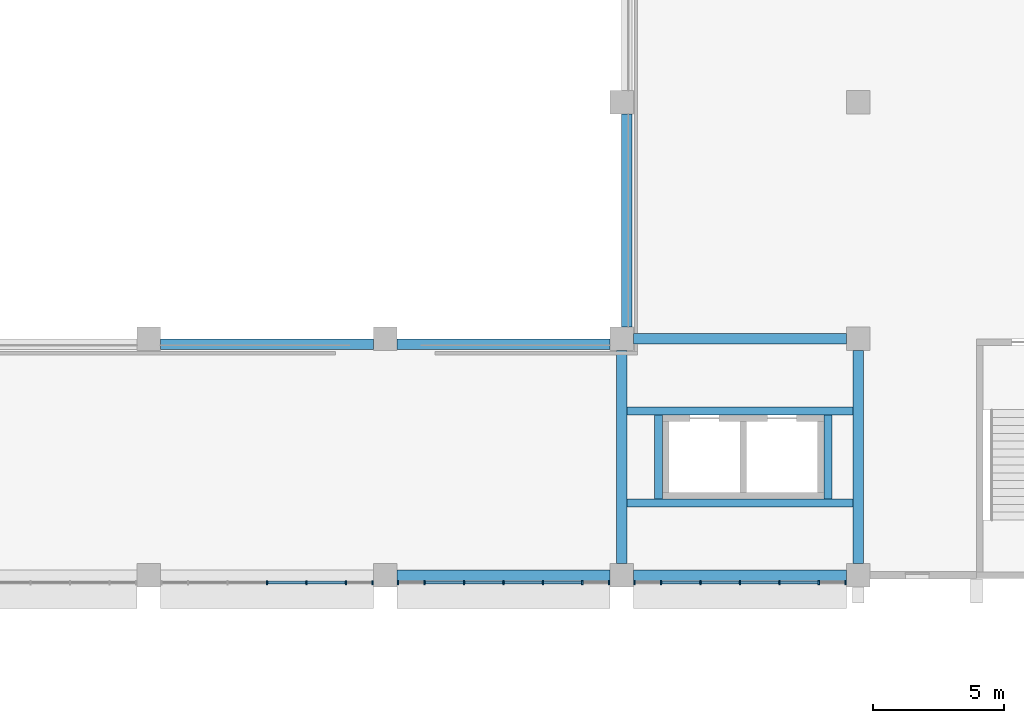
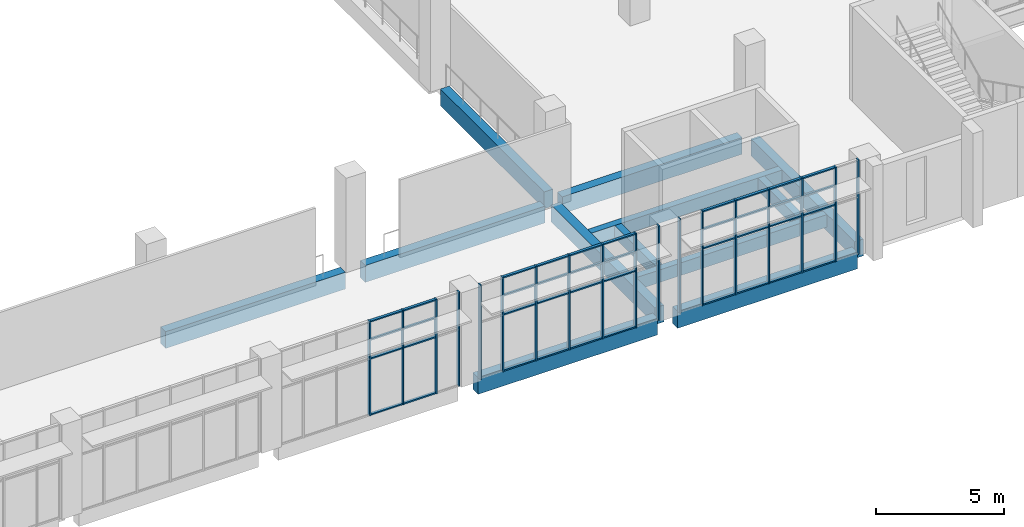
# One storey, part 4 of 88: 58 members, 12 beams, 3 elements without a shape of their own.
"""IFC4 building model written with IfcOpenShell, lengths in metres."""

from ifc_helpers import new_model, si_unit, direction, frame, origin, origin_2d, place, context, subcontext, project, spatial, rectangle, extrude, material, layer, layer_set, material_profile, profile_set, type_object, element, aggregate, save


model = new_model("IFC4")

# Units and contexts
model_context = context("Model", 3, precision=1e-05, world=origin(), true_north=direction((0.0, 1.0)))
body_context = subcontext(model_context, "Body", "Model", "MODEL_VIEW")
ifc_project = project(units=[si_unit("LENGTHUNIT", "METRE"), si_unit("AREAUNIT", "SQUARE_METRE"), si_unit("VOLUMEUNIT", "CUBIC_METRE"), si_unit("PLANEANGLEUNIT", "RADIAN"), si_unit("MASSUNIT", "GRAM", prefix="KILO")], contexts=[model_context])

# Site, building, storey
site_placement = place(None, origin())
site = spatial("IfcSite", under=ifc_project, at=site_placement, CompositionType="ELEMENT")
building_placement = place(site_placement, origin())
building = spatial("IfcBuilding", under=site, at=building_placement, Name="Guidao Yard Department Store", CompositionType="ELEMENT")
storey_placement = place(building_placement, frame((0.0, 0.0, 6.0)))
storey = spatial("IfcBuildingStorey", under=building, at=storey_placement, Name="L01", CompositionType="ELEMENT", Elevation=6.0)

# Beams
ifc_material_1 = material(Name="Concrete C40", Category="concrete")
ifc_material_profile_1 = material_profile(ifc_material_1, rectangle(XDim=0.39990234375, YDim=0.800048828125, at=origin_2d()), Name="Edge beam 400 x 800 C40")
ifc_profile_set_1 = profile_set([ifc_material_profile_1], Name="Concrete C40")
beam_type_1 = type_object("IfcBeamType", Name="Edge beam 400 x 800 C40", PredefinedType="BEAM", material=ifc_profile_set_1)
for number, where, z_axis, x_axis, name in (
    (1, (27.449951171875, 53.800048828125, -0.39990234375), (1.0, 0.0, 0.0), (0.0, 1.0, 0.0), "Beam EB16"),
    (2, (36.449951171875, 53.800048828125, -0.39990234375), (1.0, 0.0, 0.0), (0.0, 1.0, 0.0), "Beam EB17"),
    (3, (45.199951171875, 54.449951171875, -0.39990234375), (0.0, 1.0, 0.0), (-1.0, 0.0, 0.0), "Beam EB18"),
    (4, (45.449951171875, 54.0, -0.39990234375), (1.0, 0.0, 0.0), (0.0, 1.0, 0.0), "Beam EB88"),
    (5, (45.0, 45.449951171875, -0.39990234375), (0.0, 1.0, 0.0), (-1.0, 0.0, 0.0), "Beam EB89"),
    (6, (54.0, 45.449951171875, -0.39990234375), (0.0, 1.0, 0.0), (-1.0, 0.0, 0.0), "Beam EB90"),
):
    element("IfcBeam", number, at=place(storey_placement, frame(where, z_axis=z_axis, x_axis=x_axis)), inside=storey, type_object=beam_type_1, Name=name, PredefinedType="BEAM", context=body_context, shape_type="SweptSolid", body=[
        extrude(rectangle(XDim=0.39990234375, YDim=0.800048828125, at=origin_2d()), origin(), (0.0, 0.0, 1.0), 8.10009765625),
    ])

# Curtain wall, members
ifc_material_2 = material(Name="Aluminium and glass", Category="aluminium")
ifc_layer = layer(ifc_material_2, 0.159912109375)
ifc_layer_set = layer_set([ifc_layer], Name="Hall front curtain wall CW2 1500 module")
curtain_wall_type = type_object("IfcCurtainWallType", Name="Hall front curtain wall CW2 1500 module", PredefinedType="NOTDEFINED", material=ifc_layer_set)
curtain_wall_1_placement = place(storey_placement, origin())
curtain_wall_1 = element("IfcCurtainWall", 7, at=curtain_wall_1_placement, inside=storey, type_object=curtain_wall_type, Name="Hall front curtain wall", PredefinedType="NOTDEFINED")
ifc_material_3 = material(Name="Aluminium 6063-T5", Category="aluminium")
ifc_material_profile_2 = material_profile(ifc_material_3, rectangle(XDim=0.06005859375, YDim=0.159912109375, at=origin_2d()), Name="Mullion M1 60 x 160 aluminium pressure plate")
ifc_profile_set_2 = profile_set([ifc_material_profile_2], Name="Aluminium 6063-T5")
member_type_1 = type_object("IfcMemberType", Name="Mullion M1 60 x 160 aluminium pressure plate", PredefinedType="MULLION", material=ifc_profile_set_2)
member_1_placement = place(storey_placement, frame((31.5, 44.719970703125, 0.0), z_axis=(0.0, 0.0, 1.0), x_axis=(-1.0, 0.0, 0.0)))
member_1 = element("IfcMember", 8, at=member_1_placement, type_object=member_type_1, Name="CW-HF-L01-03 mullion 4", PredefinedType="MULLION", context=body_context, shape_type="SweptSolid", body=[
    extrude(rectangle(XDim=0.06005859375, YDim=0.159912109375, at=origin_2d()), origin(), (0.0, 0.0, 1.0), 4.5),
])
member_2_placement = place(storey_placement, frame((33.0, 44.719970703125, 0.0), z_axis=(0.0, 0.0, 1.0), x_axis=(-1.0, 0.0, 0.0)))
member_2 = element("IfcMember", 9, at=member_2_placement, type_object=member_type_1, Name="CW-HF-L01-03 mullion 5", PredefinedType="MULLION", context=body_context, shape_type="SweptSolid", body=[
    extrude(rectangle(XDim=0.06005859375, YDim=0.159912109375, at=origin_2d()), origin(), (0.0, 0.0, 1.0), 4.5),
])
member_3_placement = place(storey_placement, frame((34.5, 44.719970703125, 0.0), z_axis=(0.0, 0.0, 1.0), x_axis=(-1.0, 0.0, 0.0)))
member_3 = element("IfcMember", 10, at=member_3_placement, type_object=member_type_1, Name="CW-HF-L01-03 mullion 6", PredefinedType="MULLION", context=body_context, shape_type="SweptSolid", body=[
    extrude(rectangle(XDim=0.06005859375, YDim=0.159912109375, at=origin_2d()), origin(), (0.0, 0.0, 1.0), 4.5),
])
member_4_placement = place(storey_placement, frame((35.52001953125, 44.719970703125, 0.0), z_axis=(0.0, 0.0, 1.0), x_axis=(-1.0, 0.0, 0.0)))
member_4 = element("IfcMember", 11, at=member_4_placement, type_object=member_type_1, Name="CW-HF-L01-03 mullion 7", PredefinedType="MULLION", context=body_context, shape_type="SweptSolid", body=[
    extrude(rectangle(XDim=0.06005859375, YDim=0.159912109375, at=origin_2d()), origin(), (0.0, 0.0, 1.0), 4.5),
])

curtain_wall_2_placement = place(storey_placement, origin())
curtain_wall_2 = element("IfcCurtainWall", 12, at=curtain_wall_2_placement, inside=storey, type_object=curtain_wall_type, Name="Hall front curtain wall", PredefinedType="NOTDEFINED")
member_5_placement = place(storey_placement, frame((36.47998046875, 44.719970703125, 0.0), z_axis=(0.0, 0.0, 1.0), x_axis=(-1.0, 0.0, 0.0)))
member_5 = element("IfcMember", 13, at=member_5_placement, type_object=member_type_1, Name="CW-HF-L01-04 mullion 1", PredefinedType="MULLION", context=body_context, shape_type="SweptSolid", body=[
    extrude(rectangle(XDim=0.06005859375, YDim=0.159912109375, at=origin_2d()), origin(), (0.0, 0.0, 1.0), 4.5),
])
member_6_placement = place(storey_placement, frame((37.5, 44.719970703125, 0.0), z_axis=(0.0, 0.0, 1.0), x_axis=(-1.0, 0.0, 0.0)))
member_6 = element("IfcMember", 14, at=member_6_placement, type_object=member_type_1, Name="CW-HF-L01-04 mullion 2", PredefinedType="MULLION", context=body_context, shape_type="SweptSolid", body=[
    extrude(rectangle(XDim=0.06005859375, YDim=0.159912109375, at=origin_2d()), origin(), (0.0, 0.0, 1.0), 4.5),
])
member_7_placement = place(storey_placement, frame((39.0, 44.719970703125, 0.0), z_axis=(0.0, 0.0, 1.0), x_axis=(-1.0, 0.0, 0.0)))
member_7 = element("IfcMember", 15, at=member_7_placement, type_object=member_type_1, Name="CW-HF-L01-04 mullion 3", PredefinedType="MULLION", context=body_context, shape_type="SweptSolid", body=[
    extrude(rectangle(XDim=0.06005859375, YDim=0.159912109375, at=origin_2d()), origin(), (0.0, 0.0, 1.0), 4.5),
])
member_8_placement = place(storey_placement, frame((40.5, 44.719970703125, 0.0), z_axis=(0.0, 0.0, 1.0), x_axis=(-1.0, 0.0, 0.0)))
member_8 = element("IfcMember", 16, at=member_8_placement, type_object=member_type_1, Name="CW-HF-L01-04 mullion 4", PredefinedType="MULLION", context=body_context, shape_type="SweptSolid", body=[
    extrude(rectangle(XDim=0.06005859375, YDim=0.159912109375, at=origin_2d()), origin(), (0.0, 0.0, 1.0), 4.5),
])
member_9_placement = place(storey_placement, frame((42.0, 44.719970703125, 0.0), z_axis=(0.0, 0.0, 1.0), x_axis=(-1.0, 0.0, 0.0)))
member_9 = element("IfcMember", 17, at=member_9_placement, type_object=member_type_1, Name="CW-HF-L01-04 mullion 5", PredefinedType="MULLION", context=body_context, shape_type="SweptSolid", body=[
    extrude(rectangle(XDim=0.06005859375, YDim=0.159912109375, at=origin_2d()), origin(), (0.0, 0.0, 1.0), 4.5),
])
member_10_placement = place(storey_placement, frame((43.5, 44.719970703125, 0.0), z_axis=(0.0, 0.0, 1.0), x_axis=(-1.0, 0.0, 0.0)))
member_10 = element("IfcMember", 18, at=member_10_placement, type_object=member_type_1, Name="CW-HF-L01-04 mullion 6", PredefinedType="MULLION", context=body_context, shape_type="SweptSolid", body=[
    extrude(rectangle(XDim=0.06005859375, YDim=0.159912109375, at=origin_2d()), origin(), (0.0, 0.0, 1.0), 4.5),
])
member_11_placement = place(storey_placement, frame((44.52001953125, 44.719970703125, 0.0), z_axis=(0.0, 0.0, 1.0), x_axis=(-1.0, 0.0, 0.0)))
member_11 = element("IfcMember", 19, at=member_11_placement, type_object=member_type_1, Name="CW-HF-L01-04 mullion 7", PredefinedType="MULLION", context=body_context, shape_type="SweptSolid", body=[
    extrude(rectangle(XDim=0.06005859375, YDim=0.159912109375, at=origin_2d()), origin(), (0.0, 0.0, 1.0), 4.5),
])

curtain_wall_3_placement = place(storey_placement, origin())
curtain_wall_3 = element("IfcCurtainWall", 20, at=curtain_wall_3_placement, inside=storey, type_object=curtain_wall_type, Name="Hall front curtain wall", PredefinedType="NOTDEFINED")
member_12_placement = place(storey_placement, frame((45.47998046875, 44.719970703125, 0.0), z_axis=(0.0, 0.0, 1.0), x_axis=(-1.0, 0.0, 0.0)))
member_12 = element("IfcMember", 21, at=member_12_placement, type_object=member_type_1, Name="CW-HF-L01-05 mullion 1", PredefinedType="MULLION", context=body_context, shape_type="SweptSolid", body=[
    extrude(rectangle(XDim=0.06005859375, YDim=0.159912109375, at=origin_2d()), origin(), (0.0, 0.0, 1.0), 4.5),
])
member_13_placement = place(storey_placement, frame((46.5, 44.719970703125, 0.0), z_axis=(0.0, 0.0, 1.0), x_axis=(-1.0, 0.0, 0.0)))
member_13 = element("IfcMember", 22, at=member_13_placement, type_object=member_type_1, Name="CW-HF-L01-05 mullion 2", PredefinedType="MULLION", context=body_context, shape_type="SweptSolid", body=[
    extrude(rectangle(XDim=0.06005859375, YDim=0.159912109375, at=origin_2d()), origin(), (0.0, 0.0, 1.0), 4.5),
])
member_14_placement = place(storey_placement, frame((48.0, 44.719970703125, 0.0), z_axis=(0.0, 0.0, 1.0), x_axis=(-1.0, 0.0, 0.0)))
member_14 = element("IfcMember", 23, at=member_14_placement, type_object=member_type_1, Name="CW-HF-L01-05 mullion 3", PredefinedType="MULLION", context=body_context, shape_type="SweptSolid", body=[
    extrude(rectangle(XDim=0.06005859375, YDim=0.159912109375, at=origin_2d()), origin(), (0.0, 0.0, 1.0), 4.5),
])
member_15_placement = place(storey_placement, frame((49.5, 44.719970703125, 0.0), z_axis=(0.0, 0.0, 1.0), x_axis=(-1.0, 0.0, 0.0)))
member_15 = element("IfcMember", 24, at=member_15_placement, type_object=member_type_1, Name="CW-HF-L01-05 mullion 4", PredefinedType="MULLION", context=body_context, shape_type="SweptSolid", body=[
    extrude(rectangle(XDim=0.06005859375, YDim=0.159912109375, at=origin_2d()), origin(), (0.0, 0.0, 1.0), 4.5),
])
member_16_placement = place(storey_placement, frame((51.0, 44.719970703125, 0.0), z_axis=(0.0, 0.0, 1.0), x_axis=(-1.0, 0.0, 0.0)))
member_16 = element("IfcMember", 25, at=member_16_placement, type_object=member_type_1, Name="CW-HF-L01-05 mullion 5", PredefinedType="MULLION", context=body_context, shape_type="SweptSolid", body=[
    extrude(rectangle(XDim=0.06005859375, YDim=0.159912109375, at=origin_2d()), origin(), (0.0, 0.0, 1.0), 4.5),
])
member_17_placement = place(storey_placement, frame((52.5, 44.719970703125, 0.0), z_axis=(0.0, 0.0, 1.0), x_axis=(-1.0, 0.0, 0.0)))
member_17 = element("IfcMember", 26, at=member_17_placement, type_object=member_type_1, Name="CW-HF-L01-05 mullion 6", PredefinedType="MULLION", context=body_context, shape_type="SweptSolid", body=[
    extrude(rectangle(XDim=0.06005859375, YDim=0.159912109375, at=origin_2d()), origin(), (0.0, 0.0, 1.0), 4.5),
])
member_18_placement = place(storey_placement, frame((53.52001953125, 44.719970703125, 0.0), z_axis=(0.0, 0.0, 1.0), x_axis=(-1.0, 0.0, 0.0)))
member_18 = element("IfcMember", 27, at=member_18_placement, type_object=member_type_1, Name="CW-HF-L01-05 mullion 7", PredefinedType="MULLION", context=body_context, shape_type="SweptSolid", body=[
    extrude(rectangle(XDim=0.06005859375, YDim=0.159912109375, at=origin_2d()), origin(), (0.0, 0.0, 1.0), 4.5),
])

# Beams
ifc_material_4 = material(Name="Concrete C40", Category="concrete")
ifc_material_profile_3 = material_profile(ifc_material_4, rectangle(XDim=0.300048828125, YDim=0.60009765625, at=origin_2d()), Name="Opening beam 300 x 600 C40")
ifc_profile_set_3 = profile_set([ifc_material_profile_3], Name="Concrete C40")
beam_type_2 = type_object("IfcBeamType", Name="Opening beam 300 x 600 C40", PredefinedType="BEAM", material=ifc_profile_set_3)
for number, where, z_axis, x_axis, name in (
    (28, (45.199951171875, 47.75, -0.300048828125), (1.0, 0.0, 0.0), (0.0, 1.0, 0.0), "Beam OB05"),
    (29, (45.199951171875, 51.25, -0.300048828125), (1.0, 0.0, 0.0), (0.0, 1.0, 0.0), "Beam OB06"),
):
    element("IfcBeam", number, at=place(storey_placement, frame(where, z_axis=z_axis, x_axis=x_axis)), inside=storey, type_object=beam_type_2, Name=name, PredefinedType="BEAM", context=body_context, shape_type="SweptSolid", body=[
        extrude(rectangle(XDim=0.300048828125, YDim=0.60009765625, at=origin_2d()), origin(), (0.0, 0.0, 1.0), 8.60009765625),
    ])
for number, where, z_axis, x_axis, name in (
    (30, (46.39990234375, 47.89990234375, -0.300048828125), (0.0, 1.0, 0.0), (-1.0, 0.0, 0.0), "Beam OB07"),
    (31, (52.85009765625, 47.89990234375, -0.300048828125), (0.0, 1.0, 0.0), (-1.0, 0.0, 0.0), "Beam OB08"),
):
    element("IfcBeam", number, at=place(storey_placement, frame(where, z_axis=z_axis, x_axis=x_axis)), inside=storey, type_object=beam_type_2, Name=name, PredefinedType="BEAM", context=body_context, shape_type="SweptSolid", body=[
        extrude(rectangle(XDim=0.300048828125, YDim=0.60009765625, at=origin_2d()), origin(), (0.0, 0.0, 1.0), 3.2001953125),
    ])
ifc_material_5 = material(Name="Concrete C40", Category="concrete")
ifc_material_profile_4 = material_profile(ifc_material_5, rectangle(XDim=0.39990234375, YDim=0.800048828125, at=origin_2d()), Name="Spandrel beam 400 x 800 C40")
ifc_profile_set_4 = profile_set([ifc_material_profile_4], Name="Concrete C40")
beam_type_3 = type_object("IfcBeamType", Name="Spandrel beam 400 x 800 C40", PredefinedType="SPANDREL", material=ifc_profile_set_4)
for number, where, z_axis, x_axis, name in (
    (32, (36.449951171875, 45.0, -0.39990234375), (1.0, 0.0, 0.0), (0.0, 1.0, 0.0), "Beam EB04"),
    (33, (45.449951171875, 45.0, -0.39990234375), (1.0, 0.0, 0.0), (0.0, 1.0, 0.0), "Beam EB05"),
):
    element("IfcBeam", number, at=place(storey_placement, frame(where, z_axis=z_axis, x_axis=x_axis)), inside=storey, type_object=beam_type_3, Name=name, PredefinedType="SPANDREL", context=body_context, shape_type="SweptSolid", body=[
        extrude(rectangle(XDim=0.39990234375, YDim=0.800048828125, at=origin_2d()), origin(), (0.0, 0.0, 1.0), 8.10009765625),
    ])

# Member
ifc_material_6 = material(Name="Aluminium 6063-T5", Category="aluminium")
ifc_material_profile_5 = material_profile(ifc_material_6, rectangle(XDim=0.1201171875, YDim=0.06005859375, at=origin_2d()), Name="Transom T1 60 x 120 aluminium pressure plate")
ifc_profile_set_5 = profile_set([ifc_material_profile_5], Name="Aluminium 6063-T5")
member_type_2 = type_object("IfcMemberType", Name="Transom T1 60 x 120 aluminium pressure plate", PredefinedType="USERDEFINED", material=ifc_profile_set_5)
member_19_placement = place(storey_placement, frame((32.969970703125, 44.719970703125, 0.030029296875), z_axis=(-1.0, 0.0, 0.0), x_axis=(0.0, -1.0, 0.0)))
member_19 = element("IfcMember", 34, at=member_19_placement, type_object=member_type_2, Name="CW-HF-L01-03 transom 4.1", ObjectType="TRANSOM", PredefinedType="USERDEFINED", context=body_context, shape_type="SweptSolid", body=[
    extrude(rectangle(XDim=0.1201171875, YDim=0.06005859375, at=origin_2d()), origin(), (0.0, 0.0, 1.0), 1.43994140625),
])

member_20_placement = place(storey_placement, frame((32.969970703125, 44.719970703125, 2.699951171875), z_axis=(-1.0, 0.0, 0.0), x_axis=(0.0, -1.0, 0.0)))
member_20 = element("IfcMember", 35, at=member_20_placement, type_object=member_type_2, Name="CW-HF-L01-03 transom 4.2", ObjectType="TRANSOM", PredefinedType="USERDEFINED", context=body_context, shape_type="SweptSolid", body=[
    extrude(rectangle(XDim=0.1201171875, YDim=0.06005859375, at=origin_2d()), origin(), (0.0, 0.0, 1.0), 1.43994140625),
])

member_21_placement = place(storey_placement, frame((32.969970703125, 44.719970703125, 3.60009765625), z_axis=(-1.0, 0.0, 0.0), x_axis=(0.0, -1.0, 0.0)))
member_21 = element("IfcMember", 36, at=member_21_placement, type_object=member_type_2, Name="CW-HF-L01-03 transom 4.3", ObjectType="TRANSOM", PredefinedType="USERDEFINED", context=body_context, shape_type="SweptSolid", body=[
    extrude(rectangle(XDim=0.1201171875, YDim=0.06005859375, at=origin_2d()), origin(), (0.0, 0.0, 1.0), 1.43994140625),
])

member_22_placement = place(storey_placement, frame((32.969970703125, 44.719970703125, 4.469970703125), z_axis=(-1.0, 0.0, 0.0), x_axis=(0.0, -1.0, 0.0)))
member_22 = element("IfcMember", 37, at=member_22_placement, type_object=member_type_2, Name="CW-HF-L01-03 transom 4.4", ObjectType="TRANSOM", PredefinedType="USERDEFINED", context=body_context, shape_type="SweptSolid", body=[
    extrude(rectangle(XDim=0.1201171875, YDim=0.06005859375, at=origin_2d()), origin(), (0.0, 0.0, 1.0), 1.43994140625),
])

member_23_placement = place(storey_placement, frame((34.469970703125, 44.719970703125, 0.030029296875), z_axis=(-1.0, 0.0, 0.0), x_axis=(0.0, -1.0, 0.0)))
member_23 = element("IfcMember", 38, at=member_23_placement, type_object=member_type_2, Name="CW-HF-L01-03 transom 5.1", ObjectType="TRANSOM", PredefinedType="USERDEFINED", context=body_context, shape_type="SweptSolid", body=[
    extrude(rectangle(XDim=0.1201171875, YDim=0.06005859375, at=origin_2d()), origin(), (0.0, 0.0, 1.0), 1.43994140625),
])

member_24_placement = place(storey_placement, frame((34.469970703125, 44.719970703125, 2.699951171875), z_axis=(-1.0, 0.0, 0.0), x_axis=(0.0, -1.0, 0.0)))
member_24 = element("IfcMember", 39, at=member_24_placement, type_object=member_type_2, Name="CW-HF-L01-03 transom 5.2", ObjectType="TRANSOM", PredefinedType="USERDEFINED", context=body_context, shape_type="SweptSolid", body=[
    extrude(rectangle(XDim=0.1201171875, YDim=0.06005859375, at=origin_2d()), origin(), (0.0, 0.0, 1.0), 1.43994140625),
])

member_25_placement = place(storey_placement, frame((34.469970703125, 44.719970703125, 3.60009765625), z_axis=(-1.0, 0.0, 0.0), x_axis=(0.0, -1.0, 0.0)))
member_25 = element("IfcMember", 40, at=member_25_placement, type_object=member_type_2, Name="CW-HF-L01-03 transom 5.3", ObjectType="TRANSOM", PredefinedType="USERDEFINED", context=body_context, shape_type="SweptSolid", body=[
    extrude(rectangle(XDim=0.1201171875, YDim=0.06005859375, at=origin_2d()), origin(), (0.0, 0.0, 1.0), 1.43994140625),
])

member_26_placement = place(storey_placement, frame((34.469970703125, 44.719970703125, 4.469970703125), z_axis=(-1.0, 0.0, 0.0), x_axis=(0.0, -1.0, 0.0)))
member_26 = element("IfcMember", 41, at=member_26_placement, type_object=member_type_2, Name="CW-HF-L01-03 transom 5.4", ObjectType="TRANSOM", PredefinedType="USERDEFINED", context=body_context, shape_type="SweptSolid", body=[
    extrude(rectangle(XDim=0.1201171875, YDim=0.06005859375, at=origin_2d()), origin(), (0.0, 0.0, 1.0), 1.43994140625),
])

aggregate(curtain_wall_1, [member_1, member_2, member_3, member_4, member_19, member_20, member_21, member_22, member_23, member_24, member_25, member_26])

member_27_placement = place(storey_placement, frame((38.969970703125, 44.719970703125, 0.030029296875), z_axis=(-1.0, 0.0, 0.0), x_axis=(0.0, -1.0, 0.0)))
member_27 = element("IfcMember", 42, at=member_27_placement, type_object=member_type_2, Name="CW-HF-L01-04 transom 2.1", ObjectType="TRANSOM", PredefinedType="USERDEFINED", context=body_context, shape_type="SweptSolid", body=[
    extrude(rectangle(XDim=0.1201171875, YDim=0.06005859375, at=origin_2d()), origin(), (0.0, 0.0, 1.0), 1.43994140625),
])

member_28_placement = place(storey_placement, frame((38.969970703125, 44.719970703125, 2.699951171875), z_axis=(-1.0, 0.0, 0.0), x_axis=(0.0, -1.0, 0.0)))
member_28 = element("IfcMember", 43, at=member_28_placement, type_object=member_type_2, Name="CW-HF-L01-04 transom 2.2", ObjectType="TRANSOM", PredefinedType="USERDEFINED", context=body_context, shape_type="SweptSolid", body=[
    extrude(rectangle(XDim=0.1201171875, YDim=0.06005859375, at=origin_2d()), origin(), (0.0, 0.0, 1.0), 1.43994140625),
])

member_29_placement = place(storey_placement, frame((38.969970703125, 44.719970703125, 3.60009765625), z_axis=(-1.0, 0.0, 0.0), x_axis=(0.0, -1.0, 0.0)))
member_29 = element("IfcMember", 44, at=member_29_placement, type_object=member_type_2, Name="CW-HF-L01-04 transom 2.3", ObjectType="TRANSOM", PredefinedType="USERDEFINED", context=body_context, shape_type="SweptSolid", body=[
    extrude(rectangle(XDim=0.1201171875, YDim=0.06005859375, at=origin_2d()), origin(), (0.0, 0.0, 1.0), 1.43994140625),
])

member_30_placement = place(storey_placement, frame((38.969970703125, 44.719970703125, 4.469970703125), z_axis=(-1.0, 0.0, 0.0), x_axis=(0.0, -1.0, 0.0)))
member_30 = element("IfcMember", 45, at=member_30_placement, type_object=member_type_2, Name="CW-HF-L01-04 transom 2.4", ObjectType="TRANSOM", PredefinedType="USERDEFINED", context=body_context, shape_type="SweptSolid", body=[
    extrude(rectangle(XDim=0.1201171875, YDim=0.06005859375, at=origin_2d()), origin(), (0.0, 0.0, 1.0), 1.43994140625),
])

member_31_placement = place(storey_placement, frame((40.469970703125, 44.719970703125, 0.030029296875), z_axis=(-1.0, 0.0, 0.0), x_axis=(0.0, -1.0, 0.0)))
member_31 = element("IfcMember", 46, at=member_31_placement, type_object=member_type_2, Name="CW-HF-L01-04 transom 3.1", ObjectType="TRANSOM", PredefinedType="USERDEFINED", context=body_context, shape_type="SweptSolid", body=[
    extrude(rectangle(XDim=0.1201171875, YDim=0.06005859375, at=origin_2d()), origin(), (0.0, 0.0, 1.0), 1.43994140625),
])

member_32_placement = place(storey_placement, frame((40.469970703125, 44.719970703125, 2.699951171875), z_axis=(-1.0, 0.0, 0.0), x_axis=(0.0, -1.0, 0.0)))
member_32 = element("IfcMember", 47, at=member_32_placement, type_object=member_type_2, Name="CW-HF-L01-04 transom 3.2", ObjectType="TRANSOM", PredefinedType="USERDEFINED", context=body_context, shape_type="SweptSolid", body=[
    extrude(rectangle(XDim=0.1201171875, YDim=0.06005859375, at=origin_2d()), origin(), (0.0, 0.0, 1.0), 1.43994140625),
])

member_33_placement = place(storey_placement, frame((40.469970703125, 44.719970703125, 3.60009765625), z_axis=(-1.0, 0.0, 0.0), x_axis=(0.0, -1.0, 0.0)))
member_33 = element("IfcMember", 48, at=member_33_placement, type_object=member_type_2, Name="CW-HF-L01-04 transom 3.3", ObjectType="TRANSOM", PredefinedType="USERDEFINED", context=body_context, shape_type="SweptSolid", body=[
    extrude(rectangle(XDim=0.1201171875, YDim=0.06005859375, at=origin_2d()), origin(), (0.0, 0.0, 1.0), 1.43994140625),
])

member_34_placement = place(storey_placement, frame((40.469970703125, 44.719970703125, 4.469970703125), z_axis=(-1.0, 0.0, 0.0), x_axis=(0.0, -1.0, 0.0)))
member_34 = element("IfcMember", 49, at=member_34_placement, type_object=member_type_2, Name="CW-HF-L01-04 transom 3.4", ObjectType="TRANSOM", PredefinedType="USERDEFINED", context=body_context, shape_type="SweptSolid", body=[
    extrude(rectangle(XDim=0.1201171875, YDim=0.06005859375, at=origin_2d()), origin(), (0.0, 0.0, 1.0), 1.43994140625),
])

member_35_placement = place(storey_placement, frame((41.969970703125, 44.719970703125, 0.030029296875), z_axis=(-1.0, 0.0, 0.0), x_axis=(0.0, -1.0, 0.0)))
member_35 = element("IfcMember", 50, at=member_35_placement, type_object=member_type_2, Name="CW-HF-L01-04 transom 4.1", ObjectType="TRANSOM", PredefinedType="USERDEFINED", context=body_context, shape_type="SweptSolid", body=[
    extrude(rectangle(XDim=0.1201171875, YDim=0.06005859375, at=origin_2d()), origin(), (0.0, 0.0, 1.0), 1.43994140625),
])

member_36_placement = place(storey_placement, frame((41.969970703125, 44.719970703125, 2.699951171875), z_axis=(-1.0, 0.0, 0.0), x_axis=(0.0, -1.0, 0.0)))
member_36 = element("IfcMember", 51, at=member_36_placement, type_object=member_type_2, Name="CW-HF-L01-04 transom 4.2", ObjectType="TRANSOM", PredefinedType="USERDEFINED", context=body_context, shape_type="SweptSolid", body=[
    extrude(rectangle(XDim=0.1201171875, YDim=0.06005859375, at=origin_2d()), origin(), (0.0, 0.0, 1.0), 1.43994140625),
])

member_37_placement = place(storey_placement, frame((41.969970703125, 44.719970703125, 3.60009765625), z_axis=(-1.0, 0.0, 0.0), x_axis=(0.0, -1.0, 0.0)))
member_37 = element("IfcMember", 52, at=member_37_placement, type_object=member_type_2, Name="CW-HF-L01-04 transom 4.3", ObjectType="TRANSOM", PredefinedType="USERDEFINED", context=body_context, shape_type="SweptSolid", body=[
    extrude(rectangle(XDim=0.1201171875, YDim=0.06005859375, at=origin_2d()), origin(), (0.0, 0.0, 1.0), 1.43994140625),
])

member_38_placement = place(storey_placement, frame((41.969970703125, 44.719970703125, 4.469970703125), z_axis=(-1.0, 0.0, 0.0), x_axis=(0.0, -1.0, 0.0)))
member_38 = element("IfcMember", 53, at=member_38_placement, type_object=member_type_2, Name="CW-HF-L01-04 transom 4.4", ObjectType="TRANSOM", PredefinedType="USERDEFINED", context=body_context, shape_type="SweptSolid", body=[
    extrude(rectangle(XDim=0.1201171875, YDim=0.06005859375, at=origin_2d()), origin(), (0.0, 0.0, 1.0), 1.43994140625),
])

member_39_placement = place(storey_placement, frame((43.469970703125, 44.719970703125, 0.030029296875), z_axis=(-1.0, 0.0, 0.0), x_axis=(0.0, -1.0, 0.0)))
member_39 = element("IfcMember", 54, at=member_39_placement, type_object=member_type_2, Name="CW-HF-L01-04 transom 5.1", ObjectType="TRANSOM", PredefinedType="USERDEFINED", context=body_context, shape_type="SweptSolid", body=[
    extrude(rectangle(XDim=0.1201171875, YDim=0.06005859375, at=origin_2d()), origin(), (0.0, 0.0, 1.0), 1.43994140625),
])

member_40_placement = place(storey_placement, frame((43.469970703125, 44.719970703125, 2.699951171875), z_axis=(-1.0, 0.0, 0.0), x_axis=(0.0, -1.0, 0.0)))
member_40 = element("IfcMember", 55, at=member_40_placement, type_object=member_type_2, Name="CW-HF-L01-04 transom 5.2", ObjectType="TRANSOM", PredefinedType="USERDEFINED", context=body_context, shape_type="SweptSolid", body=[
    extrude(rectangle(XDim=0.1201171875, YDim=0.06005859375, at=origin_2d()), origin(), (0.0, 0.0, 1.0), 1.43994140625),
])

member_41_placement = place(storey_placement, frame((43.469970703125, 44.719970703125, 3.60009765625), z_axis=(-1.0, 0.0, 0.0), x_axis=(0.0, -1.0, 0.0)))
member_41 = element("IfcMember", 56, at=member_41_placement, type_object=member_type_2, Name="CW-HF-L01-04 transom 5.3", ObjectType="TRANSOM", PredefinedType="USERDEFINED", context=body_context, shape_type="SweptSolid", body=[
    extrude(rectangle(XDim=0.1201171875, YDim=0.06005859375, at=origin_2d()), origin(), (0.0, 0.0, 1.0), 1.43994140625),
])

member_42_placement = place(storey_placement, frame((43.469970703125, 44.719970703125, 4.469970703125), z_axis=(-1.0, 0.0, 0.0), x_axis=(0.0, -1.0, 0.0)))
member_42 = element("IfcMember", 57, at=member_42_placement, type_object=member_type_2, Name="CW-HF-L01-04 transom 5.4", ObjectType="TRANSOM", PredefinedType="USERDEFINED", context=body_context, shape_type="SweptSolid", body=[
    extrude(rectangle(XDim=0.1201171875, YDim=0.06005859375, at=origin_2d()), origin(), (0.0, 0.0, 1.0), 1.43994140625),
])

aggregate(curtain_wall_2, [member_5, member_6, member_7, member_8, member_9, member_10, member_11, member_27, member_28, member_29, member_30, member_31, member_32, member_33, member_34, member_35, member_36, member_37, member_38, member_39, member_40, member_41, member_42])

member_43_placement = place(storey_placement, frame((47.969970703125, 44.719970703125, 0.030029296875), z_axis=(-1.0, 0.0, 0.0), x_axis=(0.0, -1.0, 0.0)))
member_43 = element("IfcMember", 58, at=member_43_placement, type_object=member_type_2, Name="CW-HF-L01-05 transom 2.1", ObjectType="TRANSOM", PredefinedType="USERDEFINED", context=body_context, shape_type="SweptSolid", body=[
    extrude(rectangle(XDim=0.1201171875, YDim=0.06005859375, at=origin_2d()), origin(), (0.0, 0.0, 1.0), 1.43994140625),
])

member_44_placement = place(storey_placement, frame((47.969970703125, 44.719970703125, 2.699951171875), z_axis=(-1.0, 0.0, 0.0), x_axis=(0.0, -1.0, 0.0)))
member_44 = element("IfcMember", 59, at=member_44_placement, type_object=member_type_2, Name="CW-HF-L01-05 transom 2.2", ObjectType="TRANSOM", PredefinedType="USERDEFINED", context=body_context, shape_type="SweptSolid", body=[
    extrude(rectangle(XDim=0.1201171875, YDim=0.06005859375, at=origin_2d()), origin(), (0.0, 0.0, 1.0), 1.43994140625),
])

member_45_placement = place(storey_placement, frame((47.969970703125, 44.719970703125, 3.60009765625), z_axis=(-1.0, 0.0, 0.0), x_axis=(0.0, -1.0, 0.0)))
member_45 = element("IfcMember", 60, at=member_45_placement, type_object=member_type_2, Name="CW-HF-L01-05 transom 2.3", ObjectType="TRANSOM", PredefinedType="USERDEFINED", context=body_context, shape_type="SweptSolid", body=[
    extrude(rectangle(XDim=0.1201171875, YDim=0.06005859375, at=origin_2d()), origin(), (0.0, 0.0, 1.0), 1.43994140625),
])

member_46_placement = place(storey_placement, frame((47.969970703125, 44.719970703125, 4.469970703125), z_axis=(-1.0, 0.0, 0.0), x_axis=(0.0, -1.0, 0.0)))
member_46 = element("IfcMember", 61, at=member_46_placement, type_object=member_type_2, Name="CW-HF-L01-05 transom 2.4", ObjectType="TRANSOM", PredefinedType="USERDEFINED", context=body_context, shape_type="SweptSolid", body=[
    extrude(rectangle(XDim=0.1201171875, YDim=0.06005859375, at=origin_2d()), origin(), (0.0, 0.0, 1.0), 1.43994140625),
])

member_47_placement = place(storey_placement, frame((49.469970703125, 44.719970703125, 0.030029296875), z_axis=(-1.0, 0.0, 0.0), x_axis=(0.0, -1.0, 0.0)))
member_47 = element("IfcMember", 62, at=member_47_placement, type_object=member_type_2, Name="CW-HF-L01-05 transom 3.1", ObjectType="TRANSOM", PredefinedType="USERDEFINED", context=body_context, shape_type="SweptSolid", body=[
    extrude(rectangle(XDim=0.1201171875, YDim=0.06005859375, at=origin_2d()), origin(), (0.0, 0.0, 1.0), 1.43994140625),
])

member_48_placement = place(storey_placement, frame((49.469970703125, 44.719970703125, 2.699951171875), z_axis=(-1.0, 0.0, 0.0), x_axis=(0.0, -1.0, 0.0)))
member_48 = element("IfcMember", 63, at=member_48_placement, type_object=member_type_2, Name="CW-HF-L01-05 transom 3.2", ObjectType="TRANSOM", PredefinedType="USERDEFINED", context=body_context, shape_type="SweptSolid", body=[
    extrude(rectangle(XDim=0.1201171875, YDim=0.06005859375, at=origin_2d()), origin(), (0.0, 0.0, 1.0), 1.43994140625),
])

member_49_placement = place(storey_placement, frame((49.469970703125, 44.719970703125, 3.60009765625), z_axis=(-1.0, 0.0, 0.0), x_axis=(0.0, -1.0, 0.0)))
member_49 = element("IfcMember", 64, at=member_49_placement, type_object=member_type_2, Name="CW-HF-L01-05 transom 3.3", ObjectType="TRANSOM", PredefinedType="USERDEFINED", context=body_context, shape_type="SweptSolid", body=[
    extrude(rectangle(XDim=0.1201171875, YDim=0.06005859375, at=origin_2d()), origin(), (0.0, 0.0, 1.0), 1.43994140625),
])

member_50_placement = place(storey_placement, frame((49.469970703125, 44.719970703125, 4.469970703125), z_axis=(-1.0, 0.0, 0.0), x_axis=(0.0, -1.0, 0.0)))
member_50 = element("IfcMember", 65, at=member_50_placement, type_object=member_type_2, Name="CW-HF-L01-05 transom 3.4", ObjectType="TRANSOM", PredefinedType="USERDEFINED", context=body_context, shape_type="SweptSolid", body=[
    extrude(rectangle(XDim=0.1201171875, YDim=0.06005859375, at=origin_2d()), origin(), (0.0, 0.0, 1.0), 1.43994140625),
])

member_51_placement = place(storey_placement, frame((50.969970703125, 44.719970703125, 0.030029296875), z_axis=(-1.0, 0.0, 0.0), x_axis=(0.0, -1.0, 0.0)))
member_51 = element("IfcMember", 66, at=member_51_placement, type_object=member_type_2, Name="CW-HF-L01-05 transom 4.1", ObjectType="TRANSOM", PredefinedType="USERDEFINED", context=body_context, shape_type="SweptSolid", body=[
    extrude(rectangle(XDim=0.1201171875, YDim=0.06005859375, at=origin_2d()), origin(), (0.0, 0.0, 1.0), 1.43994140625),
])

member_52_placement = place(storey_placement, frame((50.969970703125, 44.719970703125, 2.699951171875), z_axis=(-1.0, 0.0, 0.0), x_axis=(0.0, -1.0, 0.0)))
member_52 = element("IfcMember", 67, at=member_52_placement, type_object=member_type_2, Name="CW-HF-L01-05 transom 4.2", ObjectType="TRANSOM", PredefinedType="USERDEFINED", context=body_context, shape_type="SweptSolid", body=[
    extrude(rectangle(XDim=0.1201171875, YDim=0.06005859375, at=origin_2d()), origin(), (0.0, 0.0, 1.0), 1.43994140625),
])

member_53_placement = place(storey_placement, frame((50.969970703125, 44.719970703125, 3.60009765625), z_axis=(-1.0, 0.0, 0.0), x_axis=(0.0, -1.0, 0.0)))
member_53 = element("IfcMember", 68, at=member_53_placement, type_object=member_type_2, Name="CW-HF-L01-05 transom 4.3", ObjectType="TRANSOM", PredefinedType="USERDEFINED", context=body_context, shape_type="SweptSolid", body=[
    extrude(rectangle(XDim=0.1201171875, YDim=0.06005859375, at=origin_2d()), origin(), (0.0, 0.0, 1.0), 1.43994140625),
])

member_54_placement = place(storey_placement, frame((50.969970703125, 44.719970703125, 4.469970703125), z_axis=(-1.0, 0.0, 0.0), x_axis=(0.0, -1.0, 0.0)))
member_54 = element("IfcMember", 69, at=member_54_placement, type_object=member_type_2, Name="CW-HF-L01-05 transom 4.4", ObjectType="TRANSOM", PredefinedType="USERDEFINED", context=body_context, shape_type="SweptSolid", body=[
    extrude(rectangle(XDim=0.1201171875, YDim=0.06005859375, at=origin_2d()), origin(), (0.0, 0.0, 1.0), 1.43994140625),
])

member_55_placement = place(storey_placement, frame((52.469970703125, 44.719970703125, 0.030029296875), z_axis=(-1.0, 0.0, 0.0), x_axis=(0.0, -1.0, 0.0)))
member_55 = element("IfcMember", 70, at=member_55_placement, type_object=member_type_2, Name="CW-HF-L01-05 transom 5.1", ObjectType="TRANSOM", PredefinedType="USERDEFINED", context=body_context, shape_type="SweptSolid", body=[
    extrude(rectangle(XDim=0.1201171875, YDim=0.06005859375, at=origin_2d()), origin(), (0.0, 0.0, 1.0), 1.43994140625),
])

member_56_placement = place(storey_placement, frame((52.469970703125, 44.719970703125, 2.699951171875), z_axis=(-1.0, 0.0, 0.0), x_axis=(0.0, -1.0, 0.0)))
member_56 = element("IfcMember", 71, at=member_56_placement, type_object=member_type_2, Name="CW-HF-L01-05 transom 5.2", ObjectType="TRANSOM", PredefinedType="USERDEFINED", context=body_context, shape_type="SweptSolid", body=[
    extrude(rectangle(XDim=0.1201171875, YDim=0.06005859375, at=origin_2d()), origin(), (0.0, 0.0, 1.0), 1.43994140625),
])

member_57_placement = place(storey_placement, frame((52.469970703125, 44.719970703125, 3.60009765625), z_axis=(-1.0, 0.0, 0.0), x_axis=(0.0, -1.0, 0.0)))
member_57 = element("IfcMember", 72, at=member_57_placement, type_object=member_type_2, Name="CW-HF-L01-05 transom 5.3", ObjectType="TRANSOM", PredefinedType="USERDEFINED", context=body_context, shape_type="SweptSolid", body=[
    extrude(rectangle(XDim=0.1201171875, YDim=0.06005859375, at=origin_2d()), origin(), (0.0, 0.0, 1.0), 1.43994140625),
])

member_58_placement = place(storey_placement, frame((52.469970703125, 44.719970703125, 4.469970703125), z_axis=(-1.0, 0.0, 0.0), x_axis=(0.0, -1.0, 0.0)))
member_58 = element("IfcMember", 73, at=member_58_placement, type_object=member_type_2, Name="CW-HF-L01-05 transom 5.4", ObjectType="TRANSOM", PredefinedType="USERDEFINED", context=body_context, shape_type="SweptSolid", body=[
    extrude(rectangle(XDim=0.1201171875, YDim=0.06005859375, at=origin_2d()), origin(), (0.0, 0.0, 1.0), 1.43994140625),
])

aggregate(curtain_wall_3, [member_12, member_13, member_14, member_15, member_16, member_17, member_18, member_43, member_44, member_45, member_46, member_47, member_48, member_49, member_50, member_51, member_52, member_53, member_54, member_55, member_56, member_57, member_58])

save(model, "model.ifc")
